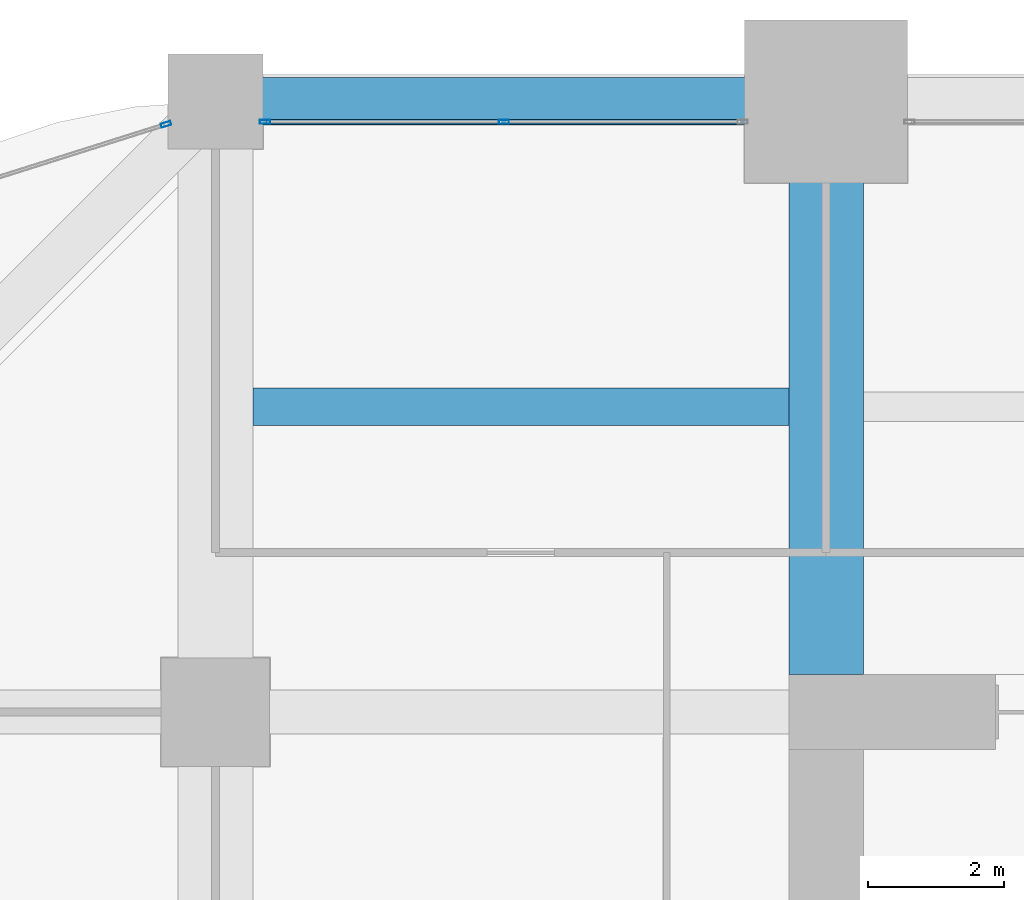
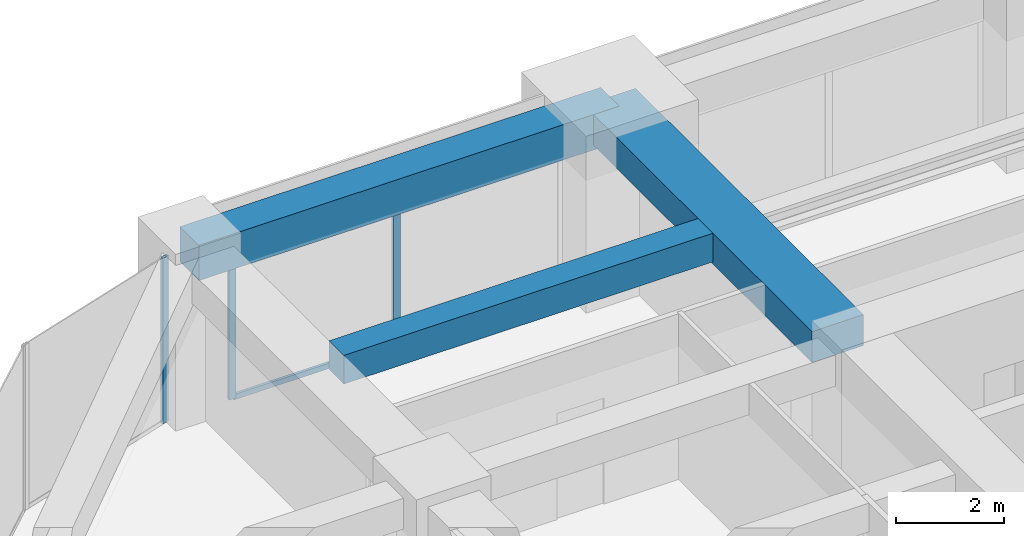
# One storey, part 23 of 32: 4 members, 3 beams, 2 elements without a shape of their own.
"""IFC4 building model written with IfcOpenShell, lengths in metres."""

from ifc_helpers import new_model, si_unit, direction, frame, origin, origin_2d, place, context, subcontext, project, spatial, rectangle, hollow_rectangle, extrude, material, material_profile, profile_set, type_object, element, aggregate, save


model = new_model("IFC4")

# Units and contexts
model_context = context("Model", 3, precision=1e-05, world=origin(), true_north=direction((0.0, 1.0)))
body_context = subcontext(model_context, "Body", "Model", "MODEL_VIEW")
ifc_project = project(units=[si_unit("LENGTHUNIT", "METRE"), si_unit("AREAUNIT", "SQUARE_METRE"), si_unit("VOLUMEUNIT", "CUBIC_METRE"), si_unit("PLANEANGLEUNIT", "RADIAN"), si_unit("MASSUNIT", "GRAM", prefix="KILO")], contexts=[model_context])

# Site, building, storey
site_placement = place(None, origin())
site = spatial("IfcSite", under=ifc_project, at=site_placement, CompositionType="ELEMENT")
building_placement = place(site_placement, origin())
building = spatial("IfcBuilding", under=site, at=building_placement, Name="Zorevar Civic Tower", CompositionType="ELEMENT")
storey_placement = place(building_placement, frame((0.0, 0.0, 186.199951171875)))
storey = spatial("IfcBuildingStorey", under=building, at=storey_placement, Name="L45", CompositionType="ELEMENT", Elevation=186.199951171875)

# Beams
ifc_material_1 = material(Name="Concrete C50/60", Category="concrete")
ifc_material_profile_1 = material_profile(ifc_material_1, rectangle(XDim=1.10009765625, YDim=0.699951171875, at=origin_2d()), Name="RC 1100x700")
ifc_profile_set_1 = profile_set([ifc_material_profile_1], Name="Concrete C50/60")
beam_type_1 = type_object("IfcBeamType", Name="Beam RC 1100x700", PredefinedType="BEAM", material=ifc_profile_set_1)
beam_1_placement = place(storey_placement, frame((18.0, 36.550048828125, 3.400146484375), z_axis=(0.0, 1.0, 0.0), x_axis=(-1.0, 0.0, 0.0)))
element("IfcBeam", 1, at=beam_1_placement, inside=storey, type_object=beam_type_1, Name="Girder L46", PredefinedType="BEAM", context=body_context, shape_type="SweptSolid", body=[
    extrude(rectangle(XDim=1.10009765625, YDim=0.699951171875, at=origin_2d()), origin(), (0.0, 0.0, 1.0), 8.449951171875),
])
ifc_material_2 = material(Name="Concrete C50/60", Category="concrete")
ifc_material_profile_2 = material_profile(ifc_material_2, rectangle(XDim=0.550048828125, YDim=0.64990234375, at=origin_2d()), Name="RC 550x650")
ifc_profile_set_2 = profile_set([ifc_material_profile_2], Name="Concrete C50/60")
beam_type_2 = type_object("IfcBeamType", Name="Beam RC 550x650", PredefinedType="BEAM", material=ifc_profile_set_2)
beam_2_placement = place(storey_placement, frame((9.550048828125, 40.5, 3.425048828125), z_axis=(1.0, 0.0, 0.0), x_axis=(0.0, 1.0, 0.0)))
element("IfcBeam", 2, at=beam_2_placement, inside=storey, type_object=beam_type_2, Name="Secondary beam L46", PredefinedType="BEAM", context=body_context, shape_type="SweptSolid", body=[
    extrude(rectangle(XDim=0.550048828125, YDim=0.64990234375, at=origin_2d()), origin(), (0.0, 0.0, 1.0), 7.89990234375),
])

# Curtain wall, members
ifc_material_3 = material(Name="Dark grey solar-control glass in black aluminium frame", Category="aluminium")
curtain_wall_type = type_object("IfcCurtainWallType", Name="Curtain wall CW4 high zone", PredefinedType="NOTDEFINED", material=ifc_material_3)
curtain_wall_1_placement = place(storey_placement, origin())
curtain_wall_1 = element("IfcCurtainWall", 3, at=curtain_wall_1_placement, inside=storey, type_object=curtain_wall_type, Name="CW4 L45", PredefinedType="NOTDEFINED")
ifc_material_4 = material(Name="Aluminium, black anodised", Category="aluminium")
ifc_material_profile_3 = material_profile(ifc_material_4, hollow_rectangle(XDim=0.06005859375, YDim=0.14990234375, WallThickness=0.00390625, at=origin_2d()), Name="AL 150x60x4")
ifc_profile_set_3 = profile_set([ifc_material_profile_3], Name="Aluminium, black anodised")
member_type_1 = type_object("IfcMemberType", Name="CW4 mullion AL 150x60x4", PredefinedType="MULLION", material=ifc_profile_set_3)
member_1_placement = place(storey_placement, frame((9.72998046875, 44.699951171875, 0.0), z_axis=(0.0, 0.0, 1.0), x_axis=(0.0, 1.0, 0.0)))
member_1 = element("IfcMember", 4, at=member_1_placement, type_object=member_type_1, Name="CW4 mullion 1", PredefinedType="MULLION", context=body_context, shape_type="SweptSolid", body=[
    extrude(hollow_rectangle(XDim=0.06005859375, YDim=0.14990234375, WallThickness=0.00390625, at=origin_2d()), origin(), (0.0, 0.0, 1.0), 2.949951171875),
])
member_2_placement = place(storey_placement, frame((13.25, 44.699951171875, 0.06005859375), z_axis=(0.0, 0.0, 1.0), x_axis=(0.0, 1.0, 0.0)))
member_2 = element("IfcMember", 5, at=member_2_placement, type_object=member_type_1, Name="CW4 mullion 2", PredefinedType="MULLION", context=body_context, shape_type="SweptSolid", body=[
    extrude(hollow_rectangle(XDim=0.06005859375, YDim=0.14990234375, WallThickness=0.00390625, at=origin_2d()), origin(), (0.0, 0.0, 1.0), 2.889892578125),
])

# Curtain wall, member
curtain_wall_2_placement = place(storey_placement, origin())
curtain_wall_2 = element("IfcCurtainWall", 6, at=curtain_wall_2_placement, inside=storey, type_object=curtain_wall_type, Name="CW4 L45", PredefinedType="NOTDEFINED")
member_3_placement = place(storey_placement, frame((8.271484375, 44.66259765625, 0.0), z_axis=(0.0, 0.0, 1.0), x_axis=(0.301108296077, -0.953589950678, 0.0)))
member_3 = element("IfcMember", 7, at=member_3_placement, type_object=member_type_1, Name="CW4 mullion 1", PredefinedType="MULLION", context=body_context, shape_type="SweptSolid", body=[
    extrude(hollow_rectangle(XDim=0.06005859375, YDim=0.14990234375, WallThickness=0.00390625, at=origin_2d()), origin(), (0.0, 0.0, 1.0), 3.75),
])
aggregate(curtain_wall_2, [member_3])

# Member
ifc_material_5 = material(Name="Aluminium, black anodised", Category="aluminium")
ifc_material_profile_4 = material_profile(ifc_material_5, hollow_rectangle(XDim=0.06005859375, YDim=0.1201171875, WallThickness=0.0029296875, at=origin_2d()), Name="AL 120x60x3")
ifc_profile_set_4 = profile_set([ifc_material_profile_4], Name="Aluminium, black anodised")
member_type_2 = type_object("IfcMemberType", Name="CW4 transom AL 120x60x3", PredefinedType="USERDEFINED", material=ifc_profile_set_4)
member_4_placement = place(storey_placement, frame((9.760009765625, 44.699951171875, 0.030029296875), z_axis=(1.0, 0.0, 0.0), x_axis=(0.0, 1.0, 0.0)))
member_4 = element("IfcMember", 8, at=member_4_placement, type_object=member_type_2, Name="CW4 sill transom", ObjectType="TRANSOM", PredefinedType="USERDEFINED", context=body_context, shape_type="SweptSolid", body=[
    extrude(hollow_rectangle(XDim=0.06005859375, YDim=0.1201171875, WallThickness=0.0029296875, at=origin_2d()), origin(), (0.0, 0.0, 1.0), 6.97998046875),
])

aggregate(curtain_wall_1, [member_1, member_2, member_4])

# Beam
ifc_material_6 = material(Name="Concrete C50/60", Category="concrete")
ifc_material_profile_5 = material_profile(ifc_material_6, rectangle(XDim=0.699951171875, YDim=0.800048828125, at=origin_2d()), Name="RC 700x800")
ifc_profile_set_5 = profile_set([ifc_material_profile_5], Name="Concrete C50/60")
beam_type_3 = type_object("IfcBeamType", Name="Edge beam RC 700x800", PredefinedType="SPANDREL", material=ifc_profile_set_5)
beam_3_placement = place(storey_placement, frame((9.0, 45.0, 3.35009765625), z_axis=(1.0, 0.0, 0.0), x_axis=(0.0, 1.0, 0.0)))
element("IfcBeam", 9, at=beam_3_placement, inside=storey, type_object=beam_type_3, Name="Edge beam L46", PredefinedType="SPANDREL", context=body_context, shape_type="SweptSolid", body=[
    extrude(rectangle(XDim=0.699951171875, YDim=0.800048828125, at=origin_2d()), origin(), (0.0, 0.0, 1.0), 9.0),
])

save(model, "model.ifc")
